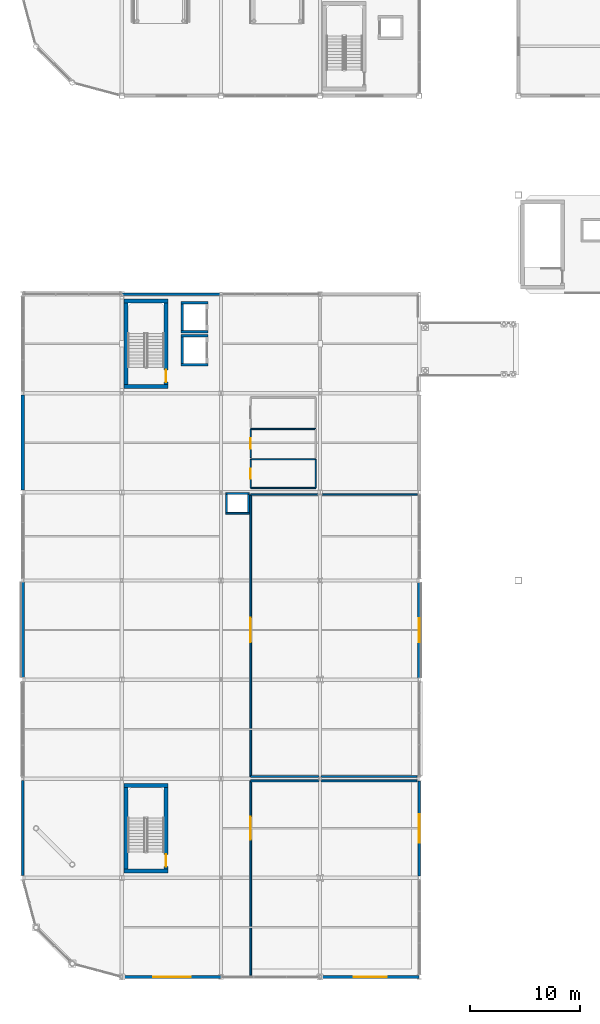
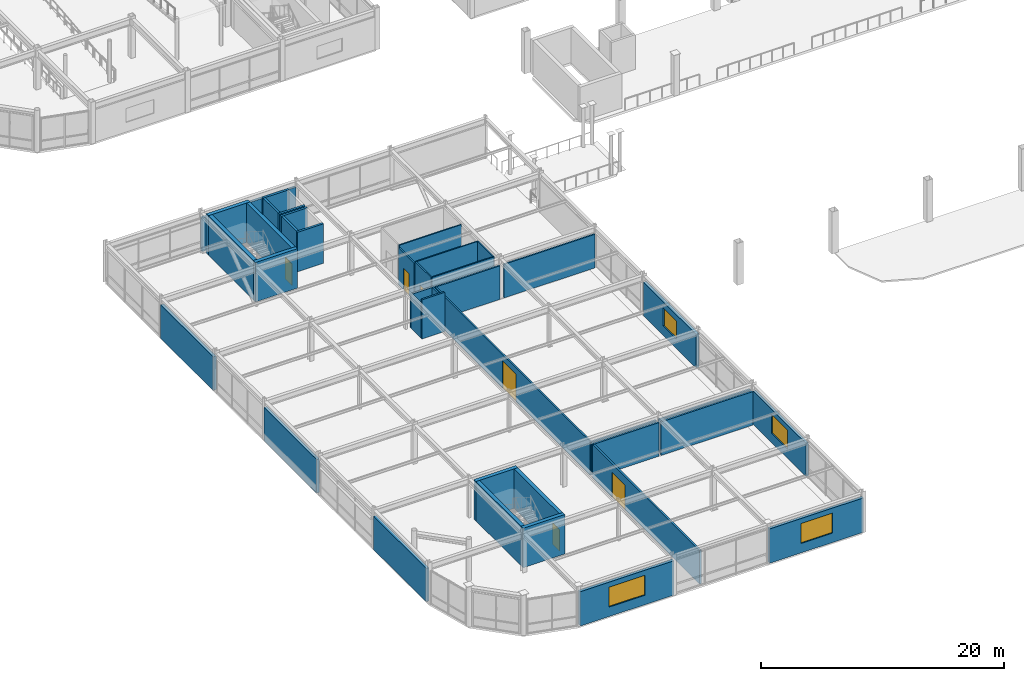
# One storey, part 72 of 105: 40 walls, 6 doors, 4 windows, 10 openings.
"""IFC4 building model written with IfcOpenShell, lengths in metres."""

from ifc_helpers import new_model, si_unit, direction, frame, frame_2d, origin, place, context, subcontext, project, spatial, rectangle, extrude, material, layer, layer_set, type_object, element, fill, save


model = new_model("IFC4")

# Units and contexts
model_context = context("Model", 3, precision=1e-05, world=origin(), true_north=direction((0.0, 1.0)))
body_context = subcontext(model_context, "Body", "Model", "MODEL_VIEW")
ifc_project = project(units=[si_unit("LENGTHUNIT", "METRE"), si_unit("AREAUNIT", "SQUARE_METRE"), si_unit("VOLUMEUNIT", "CUBIC_METRE"), si_unit("PLANEANGLEUNIT", "RADIAN"), si_unit("MASSUNIT", "GRAM", prefix="KILO")], contexts=[model_context])

# Site, building, storey
site_placement = place(None, origin())
site = spatial("IfcSite", under=ifc_project, at=site_placement, CompositionType="ELEMENT")
building_placement = place(site_placement, origin())
building = spatial("IfcBuilding", under=site, at=building_placement, Name="Suzunagisa Mobility Hub", CompositionType="ELEMENT")
storey_placement = place(building_placement, frame((0.0, 0.0, 5.10009765625)))
storey = spatial("IfcBuildingStorey", under=building, at=storey_placement, Name="L01", CompositionType="ELEMENT", Elevation=5.10009765625)

# Wall, opening, window
ifc_material_1 = material(Name="Porcelain-Faced Insulated Concrete C30/37 Wall", Category="concrete")
ifc_layer_1 = layer(ifc_material_1, 0.260009765625)
ifc_layer_set_1 = layer_set([ifc_layer_1], Name="Porcelain-Faced Insulated Concrete C30/37 Wall")
wall_type_1 = type_object("IfcWallType", Name="Exterior Wall EW-03 260mm", PredefinedType="SOLIDWALL", material=ifc_layer_set_1)
wall_1_placement = place(storey_placement, frame((27.10009765625, 0.0, 0.0), z_axis=(0.0, 0.0, 1.0), x_axis=(1.0, 0.0, 0.0)))
wall_1 = element("IfcWall", 1, at=wall_1_placement, inside=storey, type_object=wall_type_1, Name="L01 Exterior Facade Wall EW-38", PredefinedType="SOLIDWALL", context=body_context, shape_type="SweptSolid", body=[
    extrude(rectangle(XDim=8.8955078125, YDim=0.260009765625, at=frame_2d((4.44775390625, 0.0))), origin(), (0.0, 0.0, 1.0), 3.451904296875),
])
opening_1_placement = place(wall_1_placement, frame((2.94775390625, 0.0, 0.949951171875)))
opening_1 = element("IfcOpeningElement", 2, at=opening_1_placement, cuts=wall_1, Name="Opening WN-03", PredefinedType="OPENING", context=body_context, shape_type="SweptSolid", body=[
    extrude(rectangle(XDim=3.0, YDim=2.0, at=frame_2d((1.5, 1.0))), frame((0.0, 0.14111328125, 0.0), z_axis=(0.0, -1.0, 0.0), x_axis=(1.0, 0.0, 0.0)), (0.0, 0.0, 1.0), 0.281982421875),
])
ifc_material_2 = material(Name="Thermally Broken Anodized Aluminum and Low-E Double Glazing", Category="aluminium")
window_type_1 = type_object("IfcWindowType", Name="Aluminum Window WN-03 3000x2000", PartitioningType="SINGLE_PANEL", PredefinedType="WINDOW", material=ifc_material_2)
window_1_placement = place(opening_1_placement, origin())
window_1 = element("IfcWindow", 3, at=window_1_placement, inside=storey, type_object=window_type_1, Name="L01 Scheduled Facade Window WN-12", OverallHeight=2.0, OverallWidth=3.0, PartitioningType="SINGLE_PANEL", PredefinedType="WINDOW", context=body_context, shape_type="SweptSolid", body=[
    extrude(rectangle(XDim=3.0, YDim=2.0, at=frame_2d((1.5, 1.0))), frame((0.0, 0.030029296875, 0.0), z_axis=(0.0, -1.0, 0.0), x_axis=(1.0, 0.0, 0.0)), (0.0, 0.0, 1.0), 0.06005859375),
])
fill(opening_1, window_1)

# Wall
wall_2_placement = place(storey_placement, frame((0.0, 17.85009765625, 0.0), z_axis=(0.0, 0.0, 1.0), x_axis=(0.0, -1.0, 0.0)))
element("IfcWall", 4, at=wall_2_placement, inside=storey, type_object=wall_type_1, Name="L01 Exterior Facade Wall EW-46", PredefinedType="SOLIDWALL", context=body_context, shape_type="SweptSolid", body=[
    extrude(rectangle(XDim=8.650146484375, YDim=0.260009765625, at=frame_2d((4.3251953125, 0.0))), origin(), (0.0, 0.0, 1.0), 3.351806640625),
])

# Wall, opening, window
ifc_material_3 = material(Name="Lightweight Insulated Autoclaved Concrete C30/37 Wall", Category="concrete")
ifc_layer_2 = layer(ifc_material_3, 0.239990234375)
ifc_layer_set_2 = layer_set([ifc_layer_2], Name="Lightweight Insulated Autoclaved Concrete C30/37 Wall")
wall_type_2 = type_object("IfcWallType", Name="Exterior Wall EW-04 240mm", PredefinedType="SOLIDWALL", material=ifc_layer_set_2)
wall_3_placement = place(storey_placement, frame((36.0, 9.14990234375, 0.0), z_axis=(0.0, 0.0, 1.0), x_axis=(0.0, 1.0, 0.0)))
wall_3 = element("IfcWall", 5, at=wall_3_placement, inside=storey, type_object=wall_type_2, Name="L01 Exterior Facade Wall EW-39", PredefinedType="SOLIDWALL", context=body_context, shape_type="SweptSolid", body=[
    extrude(rectangle(XDim=8.650146484375, YDim=0.239990234375, at=frame_2d((4.3251953125, 0.0))), origin(), (0.0, 0.0, 1.0), 3.351806640625),
])
opening_2_placement = place(wall_3_placement, frame((3.02490234375, 0.0, 0.949951171875)))
opening_2 = element("IfcOpeningElement", 6, at=opening_2_placement, cuts=wall_3, Name="Opening WN-24", PredefinedType="OPENING", context=body_context, shape_type="SweptSolid", body=[
    extrude(rectangle(XDim=2.60009765625, YDim=1.89990234375, at=frame_2d((1.300048828125, 0.949951171875))), frame((0.0, 0.130859375, 0.0), z_axis=(0.0, -1.0, 0.0), x_axis=(1.0, 0.0, 0.0)), (0.0, 0.0, 1.0), 0.261962890625),
])
window_type_2 = type_object("IfcWindowType", Name="Aluminum Window WN-24 2600x1900", PartitioningType="SINGLE_PANEL", PredefinedType="WINDOW", material=ifc_material_2)
window_2_placement = place(opening_2_placement, origin())
window_2 = element("IfcWindow", 7, at=window_2_placement, inside=storey, type_object=window_type_2, Name="L01 Scheduled Facade Window WN-13", OverallHeight=1.89990234375, OverallWidth=2.60009765625, PartitioningType="SINGLE_PANEL", PredefinedType="WINDOW", context=body_context, shape_type="SweptSolid", body=[
    extrude(rectangle(XDim=2.60009765625, YDim=1.89990234375, at=frame_2d((1.300048828125, 0.949951171875))), frame((0.0, 0.030029296875, 0.0), z_axis=(0.0, -1.0, 0.0), x_axis=(1.0, 0.0, 0.0)), (0.0, 0.0, 1.0), 0.06005859375),
])
fill(opening_2, window_2)

# Wall
wall_4_placement = place(storey_placement, frame((17.89990234375, 62.0, 0.0), z_axis=(0.0, 0.0, 1.0), x_axis=(-1.0, 0.0, 0.0)))
element("IfcWall", 8, at=wall_4_placement, inside=storey, type_object=wall_type_2, Name="L01 Exterior Facade Wall EW-43", PredefinedType="SOLIDWALL", context=body_context, shape_type="SweptSolid", body=[
    extrude(rectangle(XDim=8.8955078125, YDim=0.239990234375, at=frame_2d((4.44775390625, 0.0))), origin(), (0.0, 0.0, 1.0), 3.371826171875),
])

# Wall, opening, window
ifc_layer_3 = layer(ifc_material_1, 0.280029296875)
ifc_layer_set_3 = layer_set([ifc_layer_3], Name="Porcelain-Faced Insulated Concrete C30/37 Wall")
wall_type_3 = type_object("IfcWallType", Name="Exterior Wall EW-08 280mm", PredefinedType="SOLIDWALL", material=ifc_layer_set_3)
wall_5_placement = place(storey_placement, frame((9.10009765625, 0.0, 0.0), z_axis=(0.0, 0.0, 1.0), x_axis=(1.0, 0.0, 0.0)))
wall_5 = element("IfcWall", 9, at=wall_5_placement, inside=storey, type_object=wall_type_3, Name="L01 Exterior Facade Wall EW-37", PredefinedType="SOLIDWALL", context=body_context, shape_type="SweptSolid", body=[
    extrude(rectangle(XDim=8.8955078125, YDim=0.280029296875, at=frame_2d((4.44775390625, 0.0))), origin(), (0.0, 0.0, 1.0), 3.451904296875),
])
opening_3_placement = place(wall_5_placement, frame((2.747802734375, 0.0, 0.949951171875)))
opening_3 = element("IfcOpeningElement", 10, at=opening_3_placement, cuts=wall_5, Name="Opening WN-06", PredefinedType="OPENING", context=body_context, shape_type="SweptSolid", body=[
    extrude(rectangle(XDim=3.39990234375, YDim=2.0, at=frame_2d((1.699951171875, 1.0))), frame((0.0, 0.15087890625, 0.0), z_axis=(0.0, -1.0, 0.0), x_axis=(1.0, 0.0, 0.0)), (0.0, 0.0, 1.0), 0.302001953125),
])
window_type_3 = type_object("IfcWindowType", Name="Aluminum Window WN-06 3400x2000", PartitioningType="SINGLE_PANEL", PredefinedType="WINDOW", material=ifc_material_2)
window_3_placement = place(opening_3_placement, origin())
window_3 = element("IfcWindow", 11, at=window_3_placement, inside=storey, type_object=window_type_3, Name="L01 Scheduled Facade Window WN-11", OverallHeight=2.0, OverallWidth=3.39990234375, PartitioningType="SINGLE_PANEL", PredefinedType="WINDOW", context=body_context, shape_type="SweptSolid", body=[
    extrude(rectangle(XDim=3.39990234375, YDim=2.0, at=frame_2d((1.699951171875, 1.0))), frame((0.0, 0.030029296875, 0.0), z_axis=(0.0, -1.0, 0.0), x_axis=(1.0, 0.0, 0.0)), (0.0, 0.0, 1.0), 0.06005859375),
])
fill(opening_3, window_3)

# Wall
wall_6_placement = place(storey_placement, frame((0.0, 35.85009765625, 0.0), z_axis=(0.0, 0.0, 1.0), x_axis=(0.0, -1.0, 0.0)))
element("IfcWall", 12, at=wall_6_placement, inside=storey, type_object=wall_type_3, Name="L01 Exterior Facade Wall EW-45", PredefinedType="SOLIDWALL", context=body_context, shape_type="SweptSolid", body=[
    extrude(rectangle(XDim=8.650146484375, YDim=0.280029296875, at=frame_2d((4.3251953125, 0.0))), origin(), (0.0, 0.0, 1.0), 3.371826171875),
])

# Wall, opening, window
ifc_material_4 = material(Name="Insulated Precast Concrete C35/45 Panel", Category="concrete")
ifc_layer_4 = layer(ifc_material_4, 0.300048828125)
ifc_layer_set_4 = layer_set([ifc_layer_4], Name="Insulated Precast Concrete C35/45 Panel")
wall_type_4 = type_object("IfcWallType", Name="Exterior Wall EW-09 300mm", PredefinedType="SOLIDWALL", material=ifc_layer_set_4)
wall_7_placement = place(storey_placement, frame((36.0, 27.14990234375, 0.0), z_axis=(0.0, 0.0, 1.0), x_axis=(0.0, 1.0, 0.0)))
wall_7 = element("IfcWall", 13, at=wall_7_placement, inside=storey, type_object=wall_type_4, Name="L01 Exterior Facade Wall EW-40", PredefinedType="SOLIDWALL", context=body_context, shape_type="SweptSolid", body=[
    extrude(rectangle(XDim=8.650146484375, YDim=0.300048828125, at=frame_2d((4.3251953125, 0.0))), origin(), (0.0, 0.0, 1.0), 3.371826171875),
])
opening_4_placement = place(wall_7_placement, frame((3.22509765625, 0.0, 0.949951171875)))
opening_4 = element("IfcOpeningElement", 14, at=opening_4_placement, cuts=wall_7, Name="Opening WN-08", PredefinedType="OPENING", context=body_context, shape_type="SweptSolid", body=[
    extrude(rectangle(XDim=2.199951171875, YDim=1.800048828125, at=frame_2d((1.10009765625, 0.89990234375))), frame((0.0, 0.1611328125, 0.0), z_axis=(0.0, -1.0, 0.0), x_axis=(1.0, 0.0, 0.0)), (0.0, 0.0, 1.0), 0.322021484375),
])
window_type_4 = type_object("IfcWindowType", Name="Aluminum Window WN-08 2200x1800", PartitioningType="SINGLE_PANEL", PredefinedType="WINDOW", material=ifc_material_2)
window_4_placement = place(opening_4_placement, origin())
window_4 = element("IfcWindow", 15, at=window_4_placement, inside=storey, type_object=window_type_4, Name="L01 Scheduled Facade Window WN-14", OverallHeight=1.800048828125, OverallWidth=2.199951171875, PartitioningType="SINGLE_PANEL", PredefinedType="WINDOW", context=body_context, shape_type="SweptSolid", body=[
    extrude(rectangle(XDim=2.199951171875, YDim=1.800048828125, at=frame_2d((1.10009765625, 0.89990234375))), frame((0.0, 0.030029296875, 0.0), z_axis=(0.0, -1.0, 0.0), x_axis=(1.0, 0.0, 0.0)), (0.0, 0.0, 1.0), 0.06005859375),
])
fill(opening_4, window_4)

# Walls
wall_8_placement = place(storey_placement, frame((0.0, 52.85009765625, 0.0), z_axis=(0.0, 0.0, 1.0), x_axis=(0.0, -1.0, 0.0)))
element("IfcWall", 16, at=wall_8_placement, inside=storey, type_object=wall_type_4, Name="L01 Exterior Facade Wall EW-44", PredefinedType="SOLIDWALL", context=body_context, shape_type="SweptSolid", body=[
    extrude(rectangle(XDim=8.650146484375, YDim=0.300048828125, at=frame_2d((4.3251953125, 0.0))), origin(), (0.0, 0.0, 1.0), 3.371826171875),
])
ifc_material_5 = material(Name="Moisture-Resistant Gypsum Partition", Category="gypsum")
ifc_layer_5 = layer(ifc_material_5, 0.1201171875)
ifc_layer_set_5 = layer_set([ifc_layer_5], Name="Moisture-Resistant Gypsum Partition")
wall_type_5 = type_object("IfcWallType", Name="Interior Wall IW-02 120mm", PredefinedType="PARTITIONING", material=ifc_layer_set_5)
for number, where, z_axis, x_axis, name in (
    (17, (20.699951171875, 44.39990234375, 0.0), (0.0, 0.0, 1.0), (1.0, 0.0, 0.0), "L01 West Concourse Male WC L01 Partition PW-655"),
    (18, (20.699951171875, 47.0, 0.0), (0.0, 0.0, 1.0), (1.0, 0.0, 0.0), "L01 West Concourse Male WC L01 Partition PW-656"),
):
    element("IfcWall", number, at=place(storey_placement, frame(where, z_axis=z_axis, x_axis=x_axis)), inside=storey, type_object=wall_type_5, Name=name, PredefinedType="PARTITIONING", context=body_context, shape_type="SweptSolid", body=[
        extrude(rectangle(XDim=5.900146484375, YDim=0.1201171875, at=frame_2d((2.9501953125, 0.0))), origin(), (0.0, 0.0, 1.0), 3.9599609375),
    ])

# Wall, opening, door
wall_9_placement = place(storey_placement, frame((20.699951171875, 44.39990234375, 0.0), z_axis=(0.0, 0.0, 1.0), x_axis=(0.0, 1.0, 0.0)))
wall_9 = element("IfcWall", 19, at=wall_9_placement, inside=storey, type_object=wall_type_5, Name="L01 West Concourse Male WC L01 Partition PW-657", PredefinedType="PARTITIONING", context=body_context, shape_type="SweptSolid", body=[
    extrude(rectangle(XDim=2.60009765625, YDim=0.1201171875, at=frame_2d((1.300048828125, 0.0))), origin(), (0.0, 0.0, 1.0), 3.9599609375),
])
opening_5_placement = place(wall_9_placement, frame((0.840087890625, 0.0, 0.0)))
opening_5 = element("IfcOpeningElement", 20, at=opening_5_placement, cuts=wall_9, Name="Opening DR-02", PredefinedType="OPENING", context=body_context, shape_type="SweptSolid", body=[
    extrude(rectangle(XDim=0.919921875, YDim=2.10009765625, at=frame_2d((0.4599609375, 1.050048828125))), frame((0.0, 0.071044921875, 0.0), z_axis=(0.0, -1.0, 0.0), x_axis=(1.0, 0.0, 0.0)), (0.0, 0.0, 1.0), 0.14208984375),
])
ifc_material_6 = material(Name="Sanitary Restroom Laminate Door")
door_type_1 = type_object("IfcDoorType", Name="Interior Door DR-02 920x2100", OperationType="SINGLE_SWING_LEFT", PredefinedType="DOOR", material=ifc_material_6)
door_1_placement = place(opening_5_placement, origin())
door_1 = element("IfcDoor", 21, at=door_1_placement, inside=storey, type_object=door_type_1, Name="L01 West Concourse Male WC L01 Door DR-164", OperationType="SINGLE_SWING_LEFT", OverallHeight=2.10009765625, OverallWidth=0.919921875, PredefinedType="DOOR", context=body_context, shape_type="SweptSolid", body=[
    extrude(rectangle(XDim=0.919921875, YDim=2.10009765625, at=frame_2d((0.4599609375, 1.050048828125))), frame((0.0, 0.02490234375, 0.0), z_axis=(0.0, -1.0, 0.0), x_axis=(1.0, 0.0, 0.0)), (0.0, 0.0, 1.0), 0.050048828125),
])
fill(opening_5, door_1)

# Walls
wall_10_placement = place(storey_placement, frame((26.60009765625, 44.39990234375, 0.0), z_axis=(0.0, 0.0, 1.0), x_axis=(0.0, 1.0, 0.0)))
element("IfcWall", 22, at=wall_10_placement, inside=storey, type_object=wall_type_5, Name="L01 West Concourse Male WC L01 Partition PW-658", PredefinedType="PARTITIONING", context=body_context, shape_type="SweptSolid", body=[
    extrude(rectangle(XDim=2.60009765625, YDim=0.1201171875, at=frame_2d((1.300048828125, 0.0))), origin(), (0.0, 0.0, 1.0), 3.9599609375),
])
wall_11_placement = place(storey_placement, frame((20.699951171875, 49.75, 0.0), z_axis=(0.0, 0.0, 1.0), x_axis=(1.0, 0.0, 0.0)))
element("IfcWall", 23, at=wall_11_placement, inside=storey, type_object=wall_type_5, Name="L01 West Concourse Female WC L01 Partition PW-659", PredefinedType="PARTITIONING", context=body_context, shape_type="SweptSolid", body=[
    extrude(rectangle(XDim=5.900146484375, YDim=0.1201171875, at=frame_2d((2.9501953125, 0.0))), origin(), (0.0, 0.0, 1.0), 3.9599609375),
])

# Wall, opening, door
wall_12_placement = place(storey_placement, frame((20.699951171875, 47.14990234375, 0.0), z_axis=(0.0, 0.0, 1.0), x_axis=(0.0, 1.0, 0.0)))
wall_12 = element("IfcWall", 24, at=wall_12_placement, inside=storey, type_object=wall_type_5, Name="L01 West Concourse Female WC L01 Partition PW-660", PredefinedType="PARTITIONING", context=body_context, shape_type="SweptSolid", body=[
    extrude(rectangle(XDim=2.60009765625, YDim=0.1201171875, at=frame_2d((1.300048828125, 0.0))), origin(), (0.0, 0.0, 1.0), 3.7099609375),
])
opening_6_placement = place(wall_12_placement, frame((0.824951171875, 0.0, 0.0)))
opening_6 = element("IfcOpeningElement", 25, at=opening_6_placement, cuts=wall_12, Name="Opening DR-19", PredefinedType="OPENING", context=body_context, shape_type="SweptSolid", body=[
    extrude(rectangle(XDim=0.949951171875, YDim=2.14990234375, at=frame_2d((0.47509765625, 1.074951171875))), frame((0.0, 0.071044921875, 0.0), z_axis=(0.0, -1.0, 0.0), x_axis=(1.0, 0.0, 0.0)), (0.0, 0.0, 1.0), 0.14208984375),
])
ifc_material_7 = material(Name="Sanitary Restroom Acoustic Door")
door_type_2 = type_object("IfcDoorType", Name="Interior Door DR-19 950x2150", OperationType="SINGLE_SWING_LEFT", PredefinedType="DOOR", material=ifc_material_7)
door_2_placement = place(opening_6_placement, origin())
door_2 = element("IfcDoor", 26, at=door_2_placement, inside=storey, type_object=door_type_2, Name="L01 West Concourse Female WC L01 Door DR-165", OperationType="SINGLE_SWING_RIGHT", OverallHeight=2.14990234375, OverallWidth=0.949951171875, PredefinedType="DOOR", context=body_context, shape_type="SweptSolid", body=[
    extrude(rectangle(XDim=0.949951171875, YDim=2.14990234375, at=frame_2d((0.47509765625, 1.074951171875))), frame((0.0, 0.02490234375, 0.0), z_axis=(0.0, -1.0, 0.0), x_axis=(1.0, 0.0, 0.0)), (0.0, 0.0, 1.0), 0.050048828125),
])
fill(opening_6, door_2)

# Walls
ifc_material_8 = material(Name="Fire-Rated Gypsum Stud Partition", Category="gypsum")
ifc_layer_6 = layer(ifc_material_8, 0.2099609375)
ifc_layer_set_6 = layer_set([ifc_layer_6], Name="Fire-Rated Gypsum Stud Partition")
wall_type_6 = type_object("IfcWallType", Name="Interior Wall IW-03 210mm", PredefinedType="PARTITIONING", material=ifc_layer_set_6)
wall_13_placement = place(storey_placement, frame((14.47509765625, 55.679931640625, 0.0), z_axis=(0.0, 0.0, 1.0), x_axis=(0.0, 1.0, 0.0)))
element("IfcWall", 27, at=wall_13_placement, inside=storey, type_object=wall_type_6, Name="L01 Lift LF-01 Shaft Back Wall", PredefinedType="PARTITIONING", context=body_context, shape_type="SweptSolid", body=[
    extrude(rectangle(XDim=2.440185546875, YDim=0.2099609375, at=frame_2d((1.22021484375, 0.0))), origin(), (0.0, 0.0, 1.0), 3.9599609375),
])
for number, where, z_axis, x_axis, name in (
    (28, (14.3701171875, 55.574951171875, 0.0), (0.0, 0.0, 1.0), (1.0, 0.0, 0.0), "L01 Lift LF-01 Shaft South Wall"),
    (29, (14.3701171875, 58.22509765625, 0.0), (0.0, 0.0, 1.0), (1.0, 0.0, 0.0), "L01 Lift LF-01 Shaft North Wall"),
):
    element("IfcWall", number, at=place(storey_placement, frame(where, z_axis=z_axis, x_axis=x_axis)), inside=storey, type_object=wall_type_6, Name=name, PredefinedType="PARTITIONING", context=body_context, shape_type="SweptSolid", body=[
        extrude(rectangle(XDim=2.4599609375, YDim=0.2099609375, at=frame_2d((1.22998046875, 0.0))), origin(), (0.0, 0.0, 1.0), 3.9599609375),
    ])
wall_14_placement = place(storey_placement, frame((14.47509765625, 58.679931640625, 0.0), z_axis=(0.0, 0.0, 1.0), x_axis=(0.0, 1.0, 0.0)))
element("IfcWall", 30, at=wall_14_placement, inside=storey, type_object=wall_type_6, Name="L01 Lift LF-02 Shaft Back Wall", PredefinedType="PARTITIONING", context=body_context, shape_type="SweptSolid", body=[
    extrude(rectangle(XDim=2.440185546875, YDim=0.2099609375, at=frame_2d((1.22021484375, 0.0))), origin(), (0.0, 0.0, 1.0), 3.9599609375),
])
for number, where, z_axis, x_axis, name in (
    (31, (14.3701171875, 58.574951171875, 0.0), (0.0, 0.0, 1.0), (1.0, 0.0, 0.0), "L01 Lift LF-02 Shaft South Wall"),
    (32, (14.3701171875, 61.22509765625, 0.0), (0.0, 0.0, 1.0), (1.0, 0.0, 0.0), "L01 Lift LF-02 Shaft North Wall"),
):
    element("IfcWall", number, at=place(storey_placement, frame(where, z_axis=z_axis, x_axis=x_axis)), inside=storey, type_object=wall_type_6, Name=name, PredefinedType="PARTITIONING", context=body_context, shape_type="SweptSolid", body=[
        extrude(rectangle(XDim=2.4599609375, YDim=0.2099609375, at=frame_2d((1.22998046875, 0.0))), origin(), (0.0, 0.0, 1.0), 3.9599609375),
    ])
ifc_material_9 = material(Name="Concrete C35/45", Category="concrete")
ifc_layer_7 = layer(ifc_material_9, 0.35009765625)
ifc_layer_set_7 = layer_set([ifc_layer_7], Name="Concrete C35/45")
wall_type_7 = type_object("IfcWallType", Name="Interior Wall IW-04 350mm", PredefinedType="SHEAR", material=ifc_layer_set_7)
for number, where, z_axis, x_axis, name in (
    (33, (9.2099609375, 53.625, 0.0), (0.0, 0.0, 1.0), (1.0, 0.0, 0.0), "L01 Core C1 Shear Wall SW-25"),
    (34, (9.2099609375, 61.375, 0.0), (0.0, 0.0, 1.0), (1.0, 0.0, 0.0), "L01 Core C1 Shear Wall SW-26"),
):
    element("IfcWall", number, at=place(storey_placement, frame(where, z_axis=z_axis, x_axis=x_axis)), inside=storey, type_object=wall_type_7, Name=name, PredefinedType="SHEAR", context=body_context, shape_type="SweptSolid", body=[
        extrude(rectangle(XDim=3.97998046875, YDim=0.35009765625, at=frame_2d((1.989990234375, 0.0))), origin(), (0.0, 0.0, 1.0), 3.9599609375),
    ])
wall_15_placement = place(storey_placement, frame((9.385009765625, 53.800048828125, 0.0), z_axis=(0.0, 0.0, 1.0), x_axis=(0.0, 1.0, 0.0)))
element("IfcWall", 35, at=wall_15_placement, inside=storey, type_object=wall_type_7, Name="L01 Core C1 Shear Wall SW-27", PredefinedType="SHEAR", context=body_context, shape_type="SweptSolid", body=[
    extrude(rectangle(XDim=7.39990234375, YDim=0.35009765625, at=frame_2d((3.699951171875, 0.0))), origin(), (0.0, 0.0, 1.0), 3.9599609375),
])

# Wall, opening, door
wall_16_placement = place(storey_placement, frame((13.014892578125, 53.800048828125, 0.0), z_axis=(0.0, 0.0, 1.0), x_axis=(0.0, 1.0, 0.0)))
wall_16 = element("IfcWall", 36, at=wall_16_placement, inside=storey, type_object=wall_type_7, Name="L01 Core C1 Shear Wall SW-28", PredefinedType="SHEAR", context=body_context, shape_type="SweptSolid", body=[
    extrude(rectangle(XDim=7.39990234375, YDim=0.35009765625, at=frame_2d((3.699951171875, 0.0))), origin(), (0.0, 0.0, 1.0), 3.9599609375),
])
opening_7_placement = place(wall_16_placement, frame((0.219970703125, 0.0, 0.0)))
opening_7 = element("IfcOpeningElement", 37, at=opening_7_placement, cuts=wall_16, Name="Opening DR-05", PredefinedType="OPENING", context=body_context, shape_type="SweptSolid", body=[
    extrude(rectangle(XDim=1.10009765625, YDim=2.14990234375, at=frame_2d((0.550048828125, 1.074951171875))), frame((0.0, 0.18603515625, 0.0), z_axis=(0.0, -1.0, 0.0), x_axis=(1.0, 0.0, 0.0)), (0.0, 0.0, 1.0), 0.3720703125),
])
ifc_material_10 = material(Name="Fire-Rated Hollow Steel Stair Door", Category="steel")
door_type_3 = type_object("IfcDoorType", Name="Interior Door DR-05 1100x2150", OperationType="SINGLE_SWING_LEFT", PredefinedType="DOOR", material=ifc_material_10)
door_3_placement = place(opening_7_placement, origin())
door_3 = element("IfcDoor", 38, at=door_3_placement, inside=storey, type_object=door_type_3, Name="L01 Core C1 Escape Stair Fire Door SD-7", OperationType="SINGLE_SWING_RIGHT", OverallHeight=2.14990234375, OverallWidth=1.10009765625, PredefinedType="DOOR", context=body_context, shape_type="SweptSolid", body=[
    extrude(rectangle(XDim=1.10009765625, YDim=2.14990234375, at=frame_2d((0.550048828125, 1.074951171875))), frame((0.0, 0.02490234375, 0.0), z_axis=(0.0, -1.0, 0.0), x_axis=(1.0, 0.0, 0.0)), (0.0, 0.0, 1.0), 0.050048828125),
])
fill(opening_7, door_3)

# Walls
for number, where, z_axis, x_axis, name in (
    (39, (9.2099609375, 9.625, 0.0), (0.0, 0.0, 1.0), (1.0, 0.0, 0.0), "L01 Core C1B Shear Wall SW-69"),
    (40, (9.2099609375, 17.375, 0.0), (0.0, 0.0, 1.0), (1.0, 0.0, 0.0), "L01 Core C1B Shear Wall SW-70"),
):
    element("IfcWall", number, at=place(storey_placement, frame(where, z_axis=z_axis, x_axis=x_axis)), inside=storey, type_object=wall_type_7, Name=name, PredefinedType="SHEAR", context=body_context, shape_type="SweptSolid", body=[
        extrude(rectangle(XDim=3.97998046875, YDim=0.35009765625, at=frame_2d((1.989990234375, 0.0))), origin(), (0.0, 0.0, 1.0), 3.9599609375),
    ])
wall_17_placement = place(storey_placement, frame((9.385009765625, 9.800048828125, 0.0), z_axis=(0.0, 0.0, 1.0), x_axis=(0.0, 1.0, 0.0)))
element("IfcWall", 41, at=wall_17_placement, inside=storey, type_object=wall_type_7, Name="L01 Core C1B Shear Wall SW-71", PredefinedType="SHEAR", context=body_context, shape_type="SweptSolid", body=[
    extrude(rectangle(XDim=7.39990234375, YDim=0.35009765625, at=frame_2d((3.699951171875, 0.0))), origin(), (0.0, 0.0, 1.0), 3.9599609375),
])

# Wall, opening, door
wall_18_placement = place(storey_placement, frame((13.014892578125, 9.800048828125, 0.0), z_axis=(0.0, 0.0, 1.0), x_axis=(0.0, 1.0, 0.0)))
wall_18 = element("IfcWall", 42, at=wall_18_placement, inside=storey, type_object=wall_type_7, Name="L01 Core C1B Shear Wall SW-72", PredefinedType="SHEAR", context=body_context, shape_type="SweptSolid", body=[
    extrude(rectangle(XDim=7.39990234375, YDim=0.35009765625, at=frame_2d((3.699951171875, 0.0))), origin(), (0.0, 0.0, 1.0), 3.9599609375),
])
opening_8_placement = place(wall_18_placement, frame((0.219970703125, 0.0, 0.0)))
opening_8 = element("IfcOpeningElement", 43, at=opening_8_placement, cuts=wall_18, Name="Opening DR-05", PredefinedType="OPENING", context=body_context, shape_type="SweptSolid", body=[
    extrude(rectangle(XDim=1.10009765625, YDim=2.14990234375, at=frame_2d((0.550048828125, 1.074951171875))), frame((0.0, 0.18603515625, 0.0), z_axis=(0.0, -1.0, 0.0), x_axis=(1.0, 0.0, 0.0)), (0.0, 0.0, 1.0), 0.3720703125),
])
door_4_placement = place(opening_8_placement, origin())
door_4 = element("IfcDoor", 44, at=door_4_placement, inside=storey, type_object=door_type_3, Name="L01 Core C1B Escape Stair Fire Door SD-18", OperationType="SINGLE_SWING_LEFT", OverallHeight=2.14990234375, OverallWidth=1.10009765625, PredefinedType="DOOR", context=body_context, shape_type="SweptSolid", body=[
    extrude(rectangle(XDim=1.10009765625, YDim=2.14990234375, at=frame_2d((0.550048828125, 1.074951171875))), frame((0.0, 0.02490234375, 0.0), z_axis=(0.0, -1.0, 0.0), x_axis=(1.0, 0.0, 0.0)), (0.0, 0.0, 1.0), 0.050048828125),
])
fill(opening_8, door_4)

# Walls
ifc_layer_8 = layer(ifc_material_8, 0.169921875)
ifc_layer_set_8 = layer_set([ifc_layer_8], Name="Fire-Rated Gypsum Stud Partition")
wall_type_8 = type_object("IfcWallType", Name="Interior Wall IW-05 170mm", PredefinedType="PARTITIONING", material=ifc_layer_set_8)
wall_19_placement = place(storey_placement, frame((18.4150390625, 42.10009765625, 0.0), z_axis=(0.0, 0.0, 1.0), x_axis=(1.0, 0.0, 0.0)))
element("IfcWall", 45, at=wall_19_placement, inside=storey, type_object=wall_type_8, Name="L01 MEP Service Riser Wall RW-497", PredefinedType="PARTITIONING", context=body_context, shape_type="SweptSolid", body=[
    extrude(rectangle(XDim=2.169921875, YDim=0.169921875, at=frame_2d((1.0849609375, 0.0))), origin(), (0.0, 0.0, 1.0), 3.919921875),
])
wall_20_placement = place(storey_placement, frame((18.4150390625, 43.89990234375, 0.0), z_axis=(0.0, 0.0, 1.0), x_axis=(1.0, 0.0, 0.0)))
element("IfcWall", 46, at=wall_20_placement, inside=storey, type_object=wall_type_8, Name="L01 MEP Service Riser Wall RW-498", PredefinedType="PARTITIONING", context=body_context, shape_type="SweptSolid", body=[
    extrude(rectangle(XDim=2.169921875, YDim=0.169921875, at=frame_2d((1.0849609375, 0.0))), origin(), (0.0, 0.0, 1.0), 3.371826171875),
])
for number, where, z_axis, x_axis, name in (
    (47, (18.5, 42.18505859375, 0.0), (0.0, 0.0, 1.0), (0.0, 1.0, 0.0), "L01 MEP Service Riser Wall RW-499"),
    (48, (20.5, 42.18505859375, 0.0), (0.0, 0.0, 1.0), (0.0, 1.0, 0.0), "L01 MEP Service Riser Wall RW-500"),
):
    element("IfcWall", number, at=place(storey_placement, frame(where, z_axis=z_axis, x_axis=x_axis)), inside=storey, type_object=wall_type_8, Name=name, PredefinedType="PARTITIONING", context=body_context, shape_type="SweptSolid", body=[
        extrude(rectangle(XDim=1.6298828125, YDim=0.169921875, at=frame_2d((0.81494140625, 0.0))), origin(), (0.0, 0.0, 1.0), 3.371826171875),
    ])
wall_21_placement = place(storey_placement, frame((20.699951171875, 17.800048828125, 0.0), z_axis=(0.0, 0.0, 1.0), x_axis=(1.0, 0.0, 0.0)))
element("IfcWall", 49, at=wall_21_placement, inside=storey, type_object=wall_type_8, Name="L01 South Prow E-Bike Charging and Locker Gallery Partition PW-765", PredefinedType="PARTITIONING", context=body_context, shape_type="SweptSolid", body=[
    extrude(rectangle(XDim=6.199951171875, YDim=0.169921875, at=frame_2d((3.10009765625, 0.0))), origin(), (0.0, 0.0, 1.0), 3.371826171875),
])
wall_22_placement = place(storey_placement, frame((27.10009765625, 17.800048828125, 0.0), z_axis=(0.0, 0.0, 1.0), x_axis=(1.0, 0.0, 0.0)))
element("IfcWall", 50, at=wall_22_placement, inside=storey, type_object=wall_type_8, Name="L01 South Prow E-Bike Charging and Locker Gallery Partition PW-766", PredefinedType="PARTITIONING", context=body_context, shape_type="SweptSolid", body=[
    extrude(rectangle(XDim=8.699951171875, YDim=0.169921875, at=frame_2d((4.35009765625, 0.0))), origin(), (0.0, 0.0, 1.0), 3.371826171875),
])

# Wall, opening, door
wall_23_placement = place(storey_placement, frame((20.699951171875, 0.1650390625, 0.0), z_axis=(0.0, 0.0, 1.0), x_axis=(0.0, 1.0, 0.0)))
wall_23 = element("IfcWall", 51, at=wall_23_placement, inside=storey, type_object=wall_type_8, Name="L01 South Prow E-Bike Charging and Locker Gallery Partition PW-767", PredefinedType="PARTITIONING", context=body_context, shape_type="SweptSolid", body=[
    extrude(rectangle(XDim=17.635009765625, YDim=0.169921875, at=frame_2d((8.8173828125, 0.0))), origin(), (0.0, 0.0, 1.0), 3.351806640625),
])
opening_9_placement = place(wall_23_placement, frame((12.27490234375, 0.0, 0.0)))
opening_9 = element("IfcOpeningElement", 52, at=opening_9_placement, cuts=wall_23, Name="Opening DR-04", PredefinedType="OPENING", context=body_context, shape_type="SweptSolid", body=[
    extrude(rectangle(XDim=2.1201171875, YDim=2.5, at=frame_2d((1.06005859375, 1.25))), frame((0.0, 0.095947265625, 0.0), z_axis=(0.0, -1.0, 0.0), x_axis=(1.0, 0.0, 0.0)), (0.0, 0.0, 1.0), 0.19189453125),
])
ifc_material_11 = material(Name="Anodized Aluminum Double Pavilion Door", Category="aluminium")
door_type_4 = type_object("IfcDoorType", Name="Interior Door DR-04 2120x2500", OperationType="SINGLE_SWING_LEFT", PredefinedType="DOOR", material=ifc_material_11)
door_5_placement = place(opening_9_placement, origin())
door_5 = element("IfcDoor", 53, at=door_5_placement, inside=storey, type_object=door_type_4, Name="L01 South Prow E-Bike Charging and Locker Gallery Door DR-193", OperationType="SINGLE_SWING_RIGHT", OverallHeight=2.5, OverallWidth=2.1201171875, PredefinedType="DOOR", context=body_context, shape_type="SweptSolid", body=[
    extrude(rectangle(XDim=2.1201171875, YDim=2.5, at=frame_2d((1.06005859375, 1.25))), frame((0.0, 0.02490234375, 0.0), z_axis=(0.0, -1.0, 0.0), x_axis=(1.0, 0.0, 0.0)), (0.0, 0.0, 1.0), 0.050048828125),
])
fill(opening_9, door_5)

# Walls
ifc_material_12 = material(Name="Acoustic Steel-Stud Gypsum Partition", Category="steel")
ifc_layer_9 = layer(ifc_material_12, 0.14501953125)
ifc_layer_set_9 = layer_set([ifc_layer_9], Name="Acoustic Steel-Stud Gypsum Partition")
wall_type_9 = type_object("IfcWallType", Name="Interior Wall IW-06 145mm", PredefinedType="PARTITIONING", material=ifc_layer_set_9)
wall_24_placement = place(storey_placement, frame((20.699951171875, 18.199951171875, 0.0), z_axis=(0.0, 0.0, 1.0), x_axis=(1.0, 0.0, 0.0)))
element("IfcWall", 54, at=wall_24_placement, inside=storey, type_object=wall_type_9, Name="L01 Cyclist Shower, Changing and Helmet Locker Suite Partition PW-768", PredefinedType="PARTITIONING", context=body_context, shape_type="SweptSolid", body=[
    extrude(rectangle(XDim=6.199951171875, YDim=0.14501953125, at=frame_2d((3.10009765625, 0.0))), origin(), (0.0, 0.0, 1.0), 3.371826171875),
])
wall_25_placement = place(storey_placement, frame((27.10009765625, 18.199951171875, 0.0), z_axis=(0.0, 0.0, 1.0), x_axis=(1.0, 0.0, 0.0)))
element("IfcWall", 55, at=wall_25_placement, inside=storey, type_object=wall_type_9, Name="L01 Cyclist Shower, Changing and Helmet Locker Suite Partition PW-769", PredefinedType="PARTITIONING", context=body_context, shape_type="SweptSolid", body=[
    extrude(rectangle(XDim=8.699951171875, YDim=0.14501953125, at=frame_2d((4.35009765625, 0.0))), origin(), (0.0, 0.0, 1.0), 3.371826171875),
])
wall_26_placement = place(storey_placement, frame((20.699951171875, 43.800048828125, 0.0), z_axis=(0.0, 0.0, 1.0), x_axis=(1.0, 0.0, 0.0)))
element("IfcWall", 56, at=wall_26_placement, inside=storey, type_object=wall_type_9, Name="L01 Cyclist Shower, Changing and Helmet Locker Suite Partition PW-770", PredefinedType="PARTITIONING", context=body_context, shape_type="SweptSolid", body=[
    extrude(rectangle(XDim=6.10009765625, YDim=0.14501953125, at=frame_2d((3.050048828125, 0.0))), origin(), (0.0, 0.0, 1.0), 3.371826171875),
])
wall_27_placement = place(storey_placement, frame((27.199951171875, 43.800048828125, 0.0), z_axis=(0.0, 0.0, 1.0), x_axis=(1.0, 0.0, 0.0)))
element("IfcWall", 57, at=wall_27_placement, inside=storey, type_object=wall_type_9, Name="L01 Cyclist Shower, Changing and Helmet Locker Suite Partition PW-771", PredefinedType="PARTITIONING", context=body_context, shape_type="SweptSolid", body=[
    extrude(rectangle(XDim=8.635009765625, YDim=0.14501953125, at=frame_2d((4.3173828125, 0.0))), origin(), (0.0, 0.0, 1.0), 3.371826171875),
])

# Wall, opening, door
wall_28_placement = place(storey_placement, frame((20.699951171875, 18.199951171875, 0.0), z_axis=(0.0, 0.0, 1.0), x_axis=(0.0, 1.0, 0.0)))
wall_28 = element("IfcWall", 58, at=wall_28_placement, inside=storey, type_object=wall_type_9, Name="L01 Cyclist Shower, Changing and Helmet Locker Suite Partition PW-772", PredefinedType="PARTITIONING", context=body_context, shape_type="SweptSolid", body=[
    extrude(rectangle(XDim=25.60009765625, YDim=0.14501953125, at=frame_2d((12.800048828125, 0.0))), origin(), (0.0, 0.0, 1.0), 3.371826171875),
])
opening_10_placement = place(wall_28_placement, frame((12.179931640625, 0.0, 0.0)))
opening_10 = element("IfcOpeningElement", 59, at=opening_10_placement, cuts=wall_28, Name="Opening DR-24", PredefinedType="OPENING", context=body_context, shape_type="SweptSolid", body=[
    extrude(rectangle(XDim=2.239990234375, YDim=2.73291015625, at=frame_2d((1.1201171875, 1.366455078125))), frame((0.0, 0.08349609375, 0.0), z_axis=(0.0, -1.0, 0.0), x_axis=(1.0, 0.0, 0.0)), (0.0, 0.0, 1.0), 0.1669921875),
])
ifc_material_13 = material(Name="Anodized Aluminum Double Bosai Hall Door", Category="aluminium")
door_type_5 = type_object("IfcDoorType", Name="Interior Door DR-24 2240x2733", OperationType="SINGLE_SWING_LEFT", PredefinedType="DOOR", material=ifc_material_13)
door_6_placement = place(opening_10_placement, origin())
door_6 = element("IfcDoor", 60, at=door_6_placement, inside=storey, type_object=door_type_5, Name="L01 Cyclist Shower, Changing and Helmet Locker Suite Door DR-194", OperationType="SINGLE_SWING_LEFT", OverallHeight=2.73291015625, OverallWidth=2.239990234375, PredefinedType="DOOR", context=body_context, shape_type="SweptSolid", body=[
    extrude(rectangle(XDim=2.239990234375, YDim=2.73291015625, at=frame_2d((1.1201171875, 1.366455078125))), frame((0.0, 0.02490234375, 0.0), z_axis=(0.0, -1.0, 0.0), x_axis=(1.0, 0.0, 0.0)), (0.0, 0.0, 1.0), 0.050048828125),
])
fill(opening_10, door_6)

save(model, "model.ifc")
